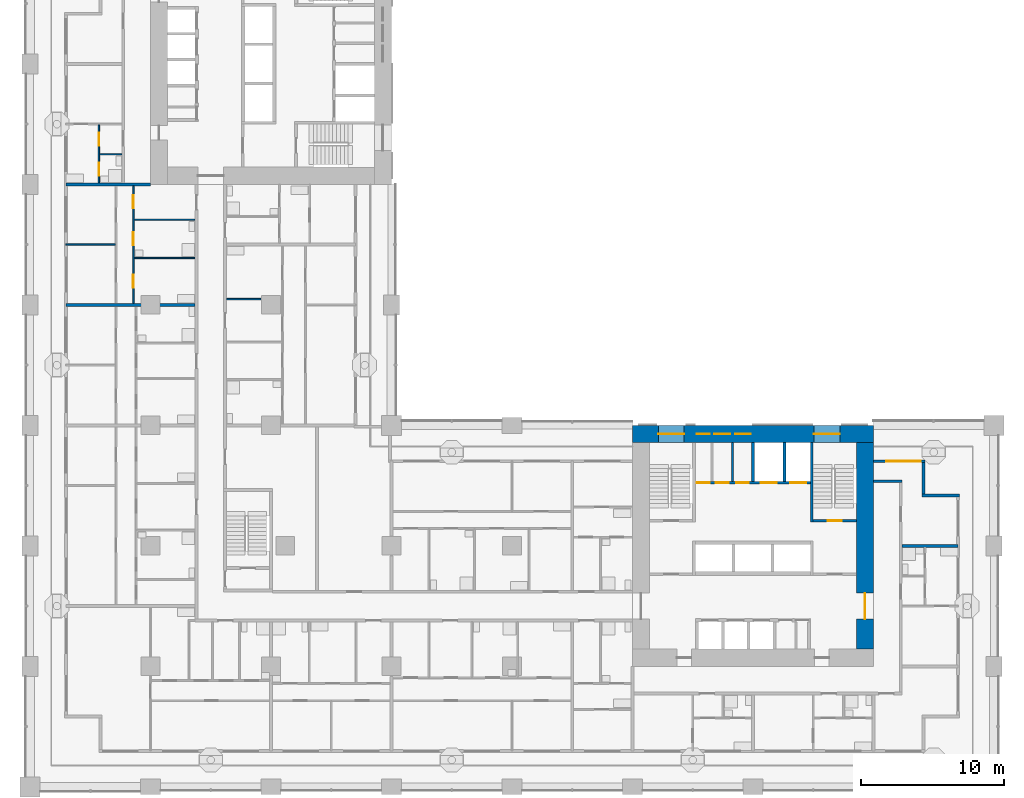
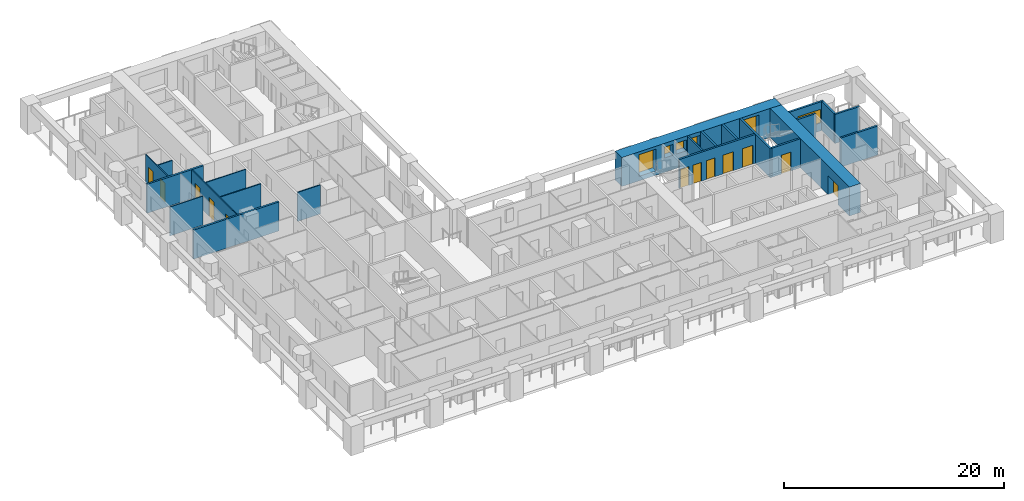
# One storey, part 8 of 22: 22 walls, 12 doors, 6 windows, 18 openings.
"""IFC4 building model written with IfcOpenShell, lengths in metres."""

from ifc_helpers import new_model, si_unit, direction, frame, frame_2d, origin, place, context, subcontext, project, spatial, rectangle, extrude, material, layer, layer_set, type_object, element, fill, save


model = new_model("IFC4")

# Units and contexts
model_context = context("Model", 3, precision=1e-05, world=origin(), true_north=direction((0.0, 1.0)))
body_context = subcontext(model_context, "Body", "Model", "MODEL_VIEW")
ifc_project = project(units=[si_unit("LENGTHUNIT", "METRE"), si_unit("AREAUNIT", "SQUARE_METRE"), si_unit("VOLUMEUNIT", "CUBIC_METRE"), si_unit("PLANEANGLEUNIT", "RADIAN"), si_unit("MASSUNIT", "GRAM", prefix="KILO")], contexts=[model_context])

# Site, building, storey
site_placement = place(None, origin())
site = spatial("IfcSite", under=ifc_project, at=site_placement, CompositionType="ELEMENT")
building_placement = place(site_placement, origin())
building = spatial("IfcBuilding", under=site, at=building_placement, Name="Vermilion Gate Residences", CompositionType="ELEMENT")
storey_placement = place(building_placement, frame((0.0, 0.0, 63.699951171875)))
storey = spatial("IfcBuildingStorey", under=building, at=storey_placement, Name="L15", CompositionType="ELEMENT", Elevation=63.699951171875)

# Walls
ifc_material_1 = material(Name="Masonry blockwork", Category="masonry")
ifc_layer_1 = layer(ifc_material_1, 0.14990234375)
ifc_layer_set_1 = layer_set([ifc_layer_1], Name="BLOCKWORK PARTITION 150 EI 120")
wall_type_1 = type_object("IfcWallType", Name="BLOCKWORK PARTITION 150 EI 120", PredefinedType="PARTITIONING", material=ifc_layer_set_1)
wall_1_placement = place(storey_placement, frame((48.965087890625, 21.300048828125, 0.0), z_axis=(0.0, 0.0, 1.0), x_axis=(0.0, 1.0, 0.0)))
element("IfcWall", 1, at=wall_1_placement, inside=storey, type_object=wall_type_1, Name="Core room partition A15-NR-P1", PredefinedType="PARTITIONING", context=body_context, shape_type="SweptSolid", body=[
    extrude(rectangle(XDim=2.699951171875, YDim=0.14990234375, at=frame_2d((1.35009765625, 0.0))), origin(), (0.0, 0.0, 1.0), 3.219970703125),
])
ifc_material_2 = material(Name="Insulated steel stud wall with terracotta rainscreen", Category="masonry")
ifc_layer_2 = layer(ifc_material_2, 0.199951171875)
ifc_layer_set_2 = layer_set([ifc_layer_2], Name="EXTERNAL WALL 200 TERRACOTTA RAINSCREEN")
wall_type_2 = type_object("IfcWallType", Name="EXTERNAL WALL 200 TERRACOTTA RAINSCREEN", PredefinedType="SOLIDWALL", material=ifc_layer_set_2)
wall_2_placement = place(storey_placement, frame((64.800048828125, 20.300048828125, 0.0), z_axis=(0.0, 0.0, 1.0), x_axis=(-1.0, 0.0, 0.0)))
element("IfcWall", 2, at=wall_2_placement, inside=storey, type_object=wall_type_2, Name="External wall", PredefinedType="SOLIDWALL", context=body_context, shape_type="SweptSolid", body=[
    extrude(rectangle(XDim=2.60009765625, YDim=0.199951171875, at=frame_2d((1.300048828125, 0.0))), origin(), (0.0, 0.0, 1.0), 3.219970703125),
])
wall_3_placement = place(storey_placement, frame((62.300048828125, 20.39990234375, 0.0), z_axis=(0.0, 0.0, 1.0), x_axis=(0.0, 1.0, 0.0)))
element("IfcWall", 3, at=wall_3_placement, inside=storey, type_object=wall_type_2, Name="External wall", PredefinedType="SOLIDWALL", context=body_context, shape_type="SweptSolid", body=[
    extrude(rectangle(XDim=2.2001953125, YDim=0.199951171875, at=frame_2d((1.10009765625, 0.0))), origin(), (0.0, 0.0, 1.0), 3.219970703125),
])

# Wall, opening, window
wall_4_placement = place(storey_placement, frame((62.39990234375, 22.699951171875, 0.0), z_axis=(0.0, 0.0, 1.0), x_axis=(-1.0, 0.0, 0.0)))
wall_4 = element("IfcWall", 4, at=wall_4_placement, inside=storey, type_object=wall_type_2, Name="External wall", PredefinedType="SOLIDWALL", context=body_context, shape_type="SweptSolid", body=[
    extrude(rectangle(XDim=3.599853515625, YDim=0.199951171875, at=frame_2d((1.7998046875, 0.0))), origin(), (0.0, 0.0, 1.0), 3.219970703125),
])
opening_1_placement = place(wall_4_placement, frame((0.300048828125, 0.0, 0.89990234375)))
opening_1 = element("IfcOpeningElement", 5, at=opening_1_placement, cuts=wall_4, Name="Opening WE15032", PredefinedType="OPENING", context=body_context, shape_type="SweptSolid", body=[
    extrude(rectangle(XDim=2.39990234375, YDim=1.5, at=frame_2d((1.199951171875, 0.75))), frame((0.0, 0.10986328125, 0.0), z_axis=(0.0, -1.0, 0.0), x_axis=(1.0, 0.0, 0.0)), (0.0, 0.0, 1.0), 0.219970703125),
])
ifc_material_3 = material(Name="Aluminium and clear glass", Category="aluminium")
window_type_1 = type_object("IfcWindowType", Name="WINDOW 2400 X 1500", PartitioningType="SINGLE_PANEL", PredefinedType="WINDOW", material=ifc_material_3)
window_1_placement = place(opening_1_placement, origin())
window_1 = element("IfcWindow", 6, at=window_1_placement, inside=storey, type_object=window_type_1, Name="Window", OverallHeight=1.5, OverallWidth=2.39990234375, PartitioningType="SINGLE_PANEL", PredefinedType="WINDOW", context=body_context, shape_type="SweptSolid", body=[
    extrude(rectangle(XDim=2.39990234375, YDim=1.5, at=frame_2d((1.199951171875, 0.75))), frame((0.0, 0.030029296875, 0.0), z_axis=(0.0, -1.0, 0.0), x_axis=(1.0, 0.0, 0.0)), (0.0, 0.0, 1.0), 0.06005859375),
])
fill(opening_1, window_1)

# Walls
ifc_material_4 = material(Name="Plasterboard on steel studs", Category="steel")
ifc_layer_3 = layer(ifc_material_4, 0.10009765625)
ifc_layer_set_3 = layer_set([ifc_layer_3], Name="PARTITION 100")
wall_type_3 = type_object("IfcWallType", Name="PARTITION 100", PredefinedType="PARTITIONING", material=ifc_layer_set_3)
wall_5_placement = place(storey_placement, frame((13.699951171875, 34.0, 0.0), z_axis=(0.0, 0.0, 1.0), x_axis=(1.0, 0.0, 0.0)))
element("IfcWall", 7, at=wall_5_placement, inside=storey, type_object=wall_type_3, Name="Partition", PredefinedType="PARTITIONING", context=body_context, shape_type="SweptSolid", body=[
    extrude(rectangle(XDim=2.400146484375, YDim=0.10009765625, at=frame_2d((1.2001953125, 0.0))), origin(), (0.0, 0.0, 1.0), 3.219970703125),
])
wall_6_placement = place(storey_placement, frame((7.25, 36.866943359375, 0.0), z_axis=(0.0, 0.0, 1.0), x_axis=(1.0, 0.0, 0.0)))
element("IfcWall", 8, at=wall_6_placement, inside=storey, type_object=wall_type_3, Name="Partition", PredefinedType="PARTITIONING", context=body_context, shape_type="SweptSolid", body=[
    extrude(rectangle(XDim=4.25, YDim=0.10009765625, at=frame_2d((2.125, 0.0))), origin(), (0.0, 0.0, 1.0), 3.219970703125),
])
wall_7_placement = place(storey_placement, frame((2.5, 37.800048828125, 0.0), z_axis=(0.0, 0.0, 1.0), x_axis=(1.0, 0.0, 0.0)))
element("IfcWall", 9, at=wall_7_placement, inside=storey, type_object=wall_type_3, Name="Partition", PredefinedType="PARTITIONING", context=body_context, shape_type="SweptSolid", body=[
    extrude(rectangle(XDim=3.449951171875, YDim=0.10009765625, at=frame_2d((1.72509765625, 0.0))), origin(), (0.0, 0.0, 1.0), 3.219970703125),
])
wall_8_placement = place(storey_placement, frame((7.25, 39.532958984375, 0.0), z_axis=(0.0, 0.0, 1.0), x_axis=(1.0, 0.0, 0.0)))
element("IfcWall", 10, at=wall_8_placement, inside=storey, type_object=wall_type_3, Name="Partition", PredefinedType="PARTITIONING", context=body_context, shape_type="SweptSolid", body=[
    extrude(rectangle(XDim=4.25, YDim=0.10009765625, at=frame_2d((2.125, 0.0))), origin(), (0.0, 0.0, 1.0), 3.219970703125),
])
wall_9_placement = place(storey_placement, frame((4.85009765625, 44.10009765625, 0.0), z_axis=(0.0, 0.0, 1.0), x_axis=(1.0, 0.0, 0.0)))
element("IfcWall", 11, at=wall_9_placement, inside=storey, type_object=wall_type_3, Name="Partition", PredefinedType="PARTITIONING", context=body_context, shape_type="SweptSolid", body=[
    extrude(rectangle(XDim=1.5498046875, YDim=0.10009765625, at=frame_2d((0.77490234375, 0.0))), origin(), (0.0, 0.0, 1.0), 3.219970703125),
])

# Wall, openings, doors
wall_10_placement = place(storey_placement, frame((4.800048828125, 42.10009765625, 0.0), z_axis=(0.0, 0.0, 1.0), x_axis=(0.0, 1.0, 0.0)))
wall_10 = element("IfcWall", 12, at=wall_10_placement, inside=storey, type_object=wall_type_3, Name="Partition", PredefinedType="PARTITIONING", context=body_context, shape_type="SweptSolid", body=[
    extrude(rectangle(XDim=4.0498046875, YDim=0.10009765625, at=frame_2d((2.02490234375, 0.0))), origin(), (0.0, 0.0, 1.0), 3.219970703125),
])
opening_2_placement = place(wall_10_placement, frame((2.60009765625, 0.0, 0.0)))
opening_2 = element("IfcOpeningElement", 13, at=opening_2_placement, cuts=wall_10, Name="Opening DA13045", PredefinedType="OPENING", context=body_context, shape_type="SweptSolid", body=[
    extrude(rectangle(XDim=0.89990234375, YDim=2.10009765625, at=frame_2d((0.449951171875, 1.050048828125))), frame((0.0, 0.06005859375, 0.0), z_axis=(0.0, -1.0, 0.0), x_axis=(1.0, 0.0, 0.0)), (0.0, 0.0, 1.0), 0.1201171875),
])
opening_3_placement = place(wall_10_placement, frame((0.5, 0.0, 0.0)))
opening_3 = element("IfcOpeningElement", 14, at=opening_3_placement, cuts=wall_10, Name="Opening DA13046", PredefinedType="OPENING", context=body_context, shape_type="SweptSolid", body=[
    extrude(rectangle(XDim=0.89990234375, YDim=2.10009765625, at=frame_2d((0.449951171875, 1.050048828125))), frame((0.0, 0.06005859375, 0.0), z_axis=(0.0, -1.0, 0.0), x_axis=(1.0, 0.0, 0.0)), (0.0, 0.0, 1.0), 0.1201171875),
])
ifc_material_5 = material(Name="Timber", Category="wood")
door_type_1 = type_object("IfcDoorType", Name="INTERIOR DOOR 900 X 2100", OperationType="SINGLE_SWING_LEFT", PredefinedType="DOOR", material=ifc_material_5)
door_1_placement = place(opening_2_placement, origin())
door_1 = element("IfcDoor", 15, at=door_1_placement, inside=storey, type_object=door_type_1, Name="Interior door", OperationType="SINGLE_SWING_RIGHT", OverallHeight=2.10009765625, OverallWidth=0.89990234375, PredefinedType="DOOR", context=body_context, shape_type="SweptSolid", body=[
    extrude(rectangle(XDim=0.89990234375, YDim=2.10009765625, at=frame_2d((0.449951171875, 1.050048828125))), frame((0.0, 0.02490234375, 0.0), z_axis=(0.0, -1.0, 0.0), x_axis=(1.0, 0.0, 0.0)), (0.0, 0.0, 1.0), 0.050048828125),
])
fill(opening_2, door_1)
door_2_placement = place(opening_3_placement, frame((0.89990234375, 0.0, 0.0), z_axis=(0.0, 0.0, 1.0), x_axis=(-1.0, 0.0, 0.0)))
door_2 = element("IfcDoor", 16, at=door_2_placement, inside=storey, type_object=door_type_1, Name="Interior door", OperationType="SINGLE_SWING_RIGHT", OverallHeight=2.10009765625, OverallWidth=0.89990234375, PredefinedType="DOOR", context=body_context, shape_type="SweptSolid", body=[
    extrude(rectangle(XDim=0.89990234375, YDim=2.10009765625, at=frame_2d((0.449951171875, 1.050048828125))), frame((0.0, 0.02490234375, 0.0), z_axis=(0.0, -1.0, 0.0), x_axis=(1.0, 0.0, 0.0)), (0.0, 0.0, 1.0), 0.050048828125),
])
fill(opening_3, door_2)

wall_11_placement = place(storey_placement, frame((7.199951171875, 33.699951171875, 0.0), z_axis=(0.0, 0.0, 1.0), x_axis=(0.0, 1.0, 0.0)))
wall_11 = element("IfcWall", 17, at=wall_11_placement, inside=storey, type_object=wall_type_3, Name="Partition", PredefinedType="PARTITIONING", context=body_context, shape_type="SweptSolid", body=[
    extrude(rectangle(XDim=8.199951171875, YDim=0.10009765625, at=frame_2d((4.10009765625, 0.0))), origin(), (0.0, 0.0, 1.0), 3.219970703125),
])
opening_4_placement = place(wall_11_placement, frame((6.633056640625, 0.0, 0.0)))
opening_4 = element("IfcOpeningElement", 18, at=opening_4_placement, cuts=wall_11, Name="Opening DA13055", PredefinedType="OPENING", context=body_context, shape_type="SweptSolid", body=[
    extrude(rectangle(XDim=0.89990234375, YDim=2.10009765625, at=frame_2d((0.449951171875, 1.050048828125))), frame((0.0, 0.06005859375, 0.0), z_axis=(0.0, -1.0, 0.0), x_axis=(1.0, 0.0, 0.0)), (0.0, 0.0, 1.0), 0.1201171875),
])
opening_5_placement = place(wall_11_placement, frame((1.10009765625, 0.0, 0.0)))
opening_5 = element("IfcOpeningElement", 19, at=opening_5_placement, cuts=wall_11, Name="Opening DA13056", PredefinedType="OPENING", context=body_context, shape_type="SweptSolid", body=[
    extrude(rectangle(XDim=0.89990234375, YDim=2.10009765625, at=frame_2d((0.449951171875, 1.050048828125))), frame((0.0, 0.06005859375, 0.0), z_axis=(0.0, -1.0, 0.0), x_axis=(1.0, 0.0, 0.0)), (0.0, 0.0, 1.0), 0.1201171875),
])
opening_6_placement = place(wall_11_placement, frame((4.06689453125, 0.0, 0.0)))
opening_6 = element("IfcOpeningElement", 20, at=opening_6_placement, cuts=wall_11, Name="Opening DA13057", PredefinedType="OPENING", context=body_context, shape_type="SweptSolid", body=[
    extrude(rectangle(XDim=0.89990234375, YDim=2.10009765625, at=frame_2d((0.449951171875, 1.050048828125))), frame((0.0, 0.06005859375, 0.0), z_axis=(0.0, -1.0, 0.0), x_axis=(1.0, 0.0, 0.0)), (0.0, 0.0, 1.0), 0.1201171875),
])
door_3_placement = place(opening_4_placement, origin())
door_3 = element("IfcDoor", 21, at=door_3_placement, inside=storey, type_object=door_type_1, Name="Interior door", OperationType="SINGLE_SWING_RIGHT", OverallHeight=2.10009765625, OverallWidth=0.89990234375, PredefinedType="DOOR", context=body_context, shape_type="SweptSolid", body=[
    extrude(rectangle(XDim=0.89990234375, YDim=2.10009765625, at=frame_2d((0.449951171875, 1.050048828125))), frame((0.0, 0.02490234375, 0.0), z_axis=(0.0, -1.0, 0.0), x_axis=(1.0, 0.0, 0.0)), (0.0, 0.0, 1.0), 0.050048828125),
])
fill(opening_4, door_3)
door_4_placement = place(opening_5_placement, frame((0.89990234375, 0.0, 0.0), z_axis=(0.0, 0.0, 1.0), x_axis=(-1.0, 0.0, 0.0)))
door_4 = element("IfcDoor", 22, at=door_4_placement, inside=storey, type_object=door_type_1, Name="Interior door", OperationType="SINGLE_SWING_RIGHT", OverallHeight=2.10009765625, OverallWidth=0.89990234375, PredefinedType="DOOR", context=body_context, shape_type="SweptSolid", body=[
    extrude(rectangle(XDim=0.89990234375, YDim=2.10009765625, at=frame_2d((0.449951171875, 1.050048828125))), frame((0.0, 0.02490234375, 0.0), z_axis=(0.0, -1.0, 0.0), x_axis=(1.0, 0.0, 0.0)), (0.0, 0.0, 1.0), 0.050048828125),
])
fill(opening_5, door_4)
door_5_placement = place(opening_6_placement, frame((0.89990234375, 0.0, 0.0), z_axis=(0.0, 0.0, 1.0), x_axis=(-1.0, 0.0, 0.0)))
door_5 = element("IfcDoor", 23, at=door_5_placement, inside=storey, type_object=door_type_1, Name="Interior door", OperationType="SINGLE_SWING_RIGHT", OverallHeight=2.10009765625, OverallWidth=0.89990234375, PredefinedType="DOOR", context=body_context, shape_type="SweptSolid", body=[
    extrude(rectangle(XDim=0.89990234375, YDim=2.10009765625, at=frame_2d((0.449951171875, 1.050048828125))), frame((0.0, 0.02490234375, 0.0), z_axis=(0.0, -1.0, 0.0), x_axis=(1.0, 0.0, 0.0)), (0.0, 0.0, 1.0), 0.050048828125),
])
fill(opening_6, door_5)

# Walls
ifc_material_6 = material(Name="Fire-rated plasterboard on steel studs", Category="steel")
ifc_layer_4 = layer(ifc_material_6, 0.199951171875)
ifc_layer_set_4 = layer_set([ifc_layer_4], Name="PARTY WALL 200 EI 120")
wall_type_4 = type_object("IfcWallType", Name="PARTY WALL 200 EI 120", PredefinedType="PARTITIONING", material=ifc_layer_set_4)
wall_12_placement = place(storey_placement, frame((60.800048828125, 16.800048828125, 0.0), z_axis=(0.0, 0.0, 1.0), x_axis=(1.0, 0.0, 0.0)))
element("IfcWall", 24, at=wall_12_placement, inside=storey, type_object=wall_type_4, Name="Party and corridor wall", PredefinedType="PARTITIONING", context=body_context, shape_type="SweptSolid", body=[
    extrude(rectangle(XDim=3.89990234375, YDim=0.199951171875, at=frame_2d((1.949951171875, 0.0))), origin(), (0.0, 0.0, 1.0), 3.219970703125),
])
wall_13_placement = place(storey_placement, frame((58.800048828125, 21.300048828125, 0.0), z_axis=(0.0, 0.0, 1.0), x_axis=(1.0, 0.0, 0.0)))
element("IfcWall", 25, at=wall_13_placement, inside=storey, type_object=wall_type_4, Name="Party and corridor wall", PredefinedType="PARTITIONING", context=body_context, shape_type="SweptSolid", body=[
    extrude(rectangle(XDim=2.0, YDim=0.199951171875, at=frame_2d((1.0, 0.0))), origin(), (0.0, 0.0, 1.0), 3.219970703125),
])
wall_14_placement = place(storey_placement, frame((2.5, 33.60009765625, 0.0), z_axis=(0.0, 0.0, 1.0), x_axis=(1.0, 0.0, 0.0)))
element("IfcWall", 26, at=wall_14_placement, inside=storey, type_object=wall_type_4, Name="Party and corridor wall", PredefinedType="PARTITIONING", context=body_context, shape_type="SweptSolid", body=[
    extrude(rectangle(XDim=9.0, YDim=0.199951171875, at=frame_2d((4.5, 0.0))), origin(), (0.0, 0.0, 1.0), 3.219970703125),
])
wall_15_placement = place(storey_placement, frame((2.5, 42.0, 0.0), z_axis=(0.0, 0.0, 1.0), x_axis=(1.0, 0.0, 0.0)))
element("IfcWall", 27, at=wall_15_placement, inside=storey, type_object=wall_type_4, Name="Party and corridor wall", PredefinedType="PARTITIONING", context=body_context, shape_type="SweptSolid", body=[
    extrude(rectangle(XDim=5.89990234375, YDim=0.199951171875, at=frame_2d((2.949951171875, 0.0))), origin(), (0.0, 0.0, 1.0), 3.219970703125),
])
ifc_material_7 = material(Name="Concrete C60", Category="concrete")
ifc_layer_5 = layer(ifc_material_7, 0.199951171875)
ifc_layer_set_5 = layer_set([ifc_layer_5], Name="RC CORE INTERNAL WALL 200 C60")
wall_type_5 = type_object("IfcWallType", Name="RC CORE INTERNAL WALL 200 C60", PredefinedType="SHEAR", material=ifc_layer_set_5)
for number, where, z_axis, x_axis, name in (
    (28, (50.39990234375, 21.300048828125, 0.0), (0.0, 0.0, 1.0), (0.0, 1.0, 0.0), "Core internal wall A15-FF-D0"),
    (29, (52.60009765625, 21.300048828125, 0.0), (0.0, 0.0, 1.0), (0.0, 1.0, 0.0), "Core internal wall A15-FF-D1"),
):
    element("IfcWall", number, at=place(storey_placement, frame(where, z_axis=z_axis, x_axis=x_axis)), inside=storey, type_object=wall_type_5, Name=name, PredefinedType="SHEAR", context=body_context, shape_type="SweptSolid", body=[
        extrude(rectangle(XDim=2.699951171875, YDim=0.199951171875, at=frame_2d((1.35009765625, 0.0))), origin(), (0.0, 0.0, 1.0), 3.219970703125),
    ])

# Wall, openings, doors
wall_16_placement = place(storey_placement, frame((46.39990234375, 21.199951171875, 0.0), z_axis=(0.0, 0.0, 1.0), x_axis=(1.0, 0.0, 0.0)))
wall_16 = element("IfcWall", 30, at=wall_16_placement, inside=storey, type_object=wall_type_5, Name="Core internal wall A15-FF-F", PredefinedType="SHEAR", context=body_context, shape_type="SweptSolid", body=[
    extrude(rectangle(XDim=8.0, YDim=0.199951171875, at=frame_2d((4.0, 0.0))), origin(), (0.0, 0.0, 1.0), 3.219970703125),
])
opening_7_placement = place(wall_16_placement, frame((0.090087890625, 0.0, 0.0)))
opening_7 = element("IfcOpeningElement", 31, at=opening_7_placement, cuts=wall_16, Name="Opening DK15010", PredefinedType="OPENING", context=body_context, shape_type="SweptSolid", body=[
    extrude(rectangle(XDim=0.89990234375, YDim=2.10009765625, at=frame_2d((0.449951171875, 1.050048828125))), frame((0.0, 0.10986328125, 0.0), z_axis=(0.0, -1.0, 0.0), x_axis=(1.0, 0.0, 0.0)), (0.0, 0.0, 1.0), 0.219970703125),
])
opening_8_placement = place(wall_16_placement, frame((1.409912109375, 0.0, 0.0)))
opening_8 = element("IfcOpeningElement", 32, at=opening_8_placement, cuts=wall_16, Name="Opening DK15011", PredefinedType="OPENING", context=body_context, shape_type="SweptSolid", body=[
    extrude(rectangle(XDim=0.89990234375, YDim=2.10009765625, at=frame_2d((0.449951171875, 1.050048828125))), frame((0.0, 0.10986328125, 0.0), z_axis=(0.0, -1.0, 0.0), x_axis=(1.0, 0.0, 0.0)), (0.0, 0.0, 1.0), 0.219970703125),
])
opening_9_placement = place(wall_16_placement, frame((2.820068359375, 0.0, 0.0)))
opening_9 = element("IfcOpeningElement", 33, at=opening_9_placement, cuts=wall_16, Name="Opening DK15012", PredefinedType="OPENING", context=body_context, shape_type="SweptSolid", body=[
    extrude(rectangle(XDim=0.89990234375, YDim=2.10009765625, at=frame_2d((0.449951171875, 1.050048828125))), frame((0.0, 0.10986328125, 0.0), z_axis=(0.0, -1.0, 0.0), x_axis=(1.0, 0.0, 0.0)), (0.0, 0.0, 1.0), 0.219970703125),
])
opening_10_placement = place(wall_16_placement, frame((4.550048828125, 0.0, 0.0)))
opening_10 = element("IfcOpeningElement", 34, at=opening_10_placement, cuts=wall_16, Name="Opening LD", PredefinedType="OPENING", context=body_context, shape_type="SweptSolid", body=[
    extrude(rectangle(XDim=1.10009765625, YDim=2.10009765625, at=frame_2d((0.550048828125, 1.050048828125))), frame((0.0, 0.10986328125, 0.0), z_axis=(0.0, -1.0, 0.0), x_axis=(1.0, 0.0, 0.0)), (0.0, 0.0, 1.0), 0.219970703125),
])
opening_11_placement = place(wall_16_placement, frame((6.60009765625, 0.0, 0.0)))
opening_11 = element("IfcOpeningElement", 35, at=opening_11_placement, cuts=wall_16, Name="Opening LD", PredefinedType="OPENING", context=body_context, shape_type="SweptSolid", body=[
    extrude(rectangle(XDim=1.10009765625, YDim=2.10009765625, at=frame_2d((0.550048828125, 1.050048828125))), frame((0.0, 0.10986328125, 0.0), z_axis=(0.0, -1.0, 0.0), x_axis=(1.0, 0.0, 0.0)), (0.0, 0.0, 1.0), 0.219970703125),
])
ifc_material_8 = material(Name="Stainless steel", Category="steel")
door_type_2 = type_object("IfcDoorType", Name="LIFT LANDING DOOR E60 1100 X 2100", OperationType="DOUBLE_DOOR_SLIDING", PredefinedType="DOOR", material=ifc_material_8)
door_6_placement = place(opening_10_placement, origin())
door_6 = element("IfcDoor", 36, at=door_6_placement, inside=storey, type_object=door_type_2, Name="Lift landing door LFA1", OperationType="DOUBLE_DOOR_SLIDING", OverallHeight=2.10009765625, OverallWidth=1.10009765625, PredefinedType="DOOR", context=body_context, shape_type="SweptSolid", body=[
    extrude(rectangle(XDim=1.10009765625, YDim=2.10009765625, at=frame_2d((0.550048828125, 1.050048828125))), frame((0.0, 0.02490234375, 0.0), z_axis=(0.0, -1.0, 0.0), x_axis=(1.0, 0.0, 0.0)), (0.0, 0.0, 1.0), 0.050048828125),
])
fill(opening_10, door_6)
door_7_placement = place(opening_11_placement, origin())
door_7 = element("IfcDoor", 37, at=door_7_placement, inside=storey, type_object=door_type_2, Name="Lift landing door LCA1", OperationType="DOUBLE_DOOR_SLIDING", OverallHeight=2.10009765625, OverallWidth=1.10009765625, PredefinedType="DOOR", context=body_context, shape_type="SweptSolid", body=[
    extrude(rectangle(XDim=1.10009765625, YDim=2.10009765625, at=frame_2d((0.550048828125, 1.050048828125))), frame((0.0, 0.02490234375, 0.0), z_axis=(0.0, -1.0, 0.0), x_axis=(1.0, 0.0, 0.0)), (0.0, 0.0, 1.0), 0.050048828125),
])
fill(opening_11, door_7)
ifc_material_9 = material(Name="Steel", Category="steel")
door_type_3 = type_object("IfcDoorType", Name="SERVICE ROOM DOOR FD60 900 X 2100", OperationType="SINGLE_SWING_LEFT", PredefinedType="DOOR", material=ifc_material_9)
door_8_placement = place(opening_7_placement, origin())
door_8 = element("IfcDoor", 38, at=door_8_placement, inside=storey, type_object=door_type_3, Name="Housekeeping store A15", OperationType="SINGLE_SWING_RIGHT", OverallHeight=2.10009765625, OverallWidth=0.89990234375, PredefinedType="DOOR", context=body_context, shape_type="SweptSolid", body=[
    extrude(rectangle(XDim=0.89990234375, YDim=2.10009765625, at=frame_2d((0.449951171875, 1.050048828125))), frame((0.0, 0.02490234375, 0.0), z_axis=(0.0, -1.0, 0.0), x_axis=(1.0, 0.0, 0.0)), (0.0, 0.0, 1.0), 0.050048828125),
])
fill(opening_7, door_8)
door_9_placement = place(opening_8_placement, origin())
door_9 = element("IfcDoor", 39, at=door_9_placement, inside=storey, type_object=door_type_3, Name="Mail room A15", OperationType="SINGLE_SWING_LEFT", OverallHeight=2.10009765625, OverallWidth=0.89990234375, PredefinedType="DOOR", context=body_context, shape_type="SweptSolid", body=[
    extrude(rectangle(XDim=0.89990234375, YDim=2.10009765625, at=frame_2d((0.449951171875, 1.050048828125))), frame((0.0, 0.02490234375, 0.0), z_axis=(0.0, -1.0, 0.0), x_axis=(1.0, 0.0, 0.0)), (0.0, 0.0, 1.0), 0.050048828125),
])
fill(opening_8, door_9)
door_10_placement = place(opening_9_placement, origin())
door_10 = element("IfcDoor", 40, at=door_10_placement, inside=storey, type_object=door_type_3, Name="Electrical riser A15", OperationType="SINGLE_SWING_LEFT", OverallHeight=2.10009765625, OverallWidth=0.89990234375, PredefinedType="DOOR", context=body_context, shape_type="SweptSolid", body=[
    extrude(rectangle(XDim=0.89990234375, YDim=2.10009765625, at=frame_2d((0.449951171875, 1.050048828125))), frame((0.0, 0.02490234375, 0.0), z_axis=(0.0, -1.0, 0.0), x_axis=(1.0, 0.0, 0.0)), (0.0, 0.0, 1.0), 0.050048828125),
])
fill(opening_9, door_10)

# Wall
wall_17_placement = place(storey_placement, frame((54.5, 18.449951171875, 0.0), z_axis=(0.0, 0.0, 1.0), x_axis=(0.0, 1.0, 0.0)))
element("IfcWall", 41, at=wall_17_placement, inside=storey, type_object=wall_type_5, Name="Core internal wall A15-EDIV2", PredefinedType="SHEAR", context=body_context, shape_type="SweptSolid", body=[
    extrude(rectangle(XDim=5.550048828125, YDim=0.199951171875, at=frame_2d((2.77490234375, 0.0))), origin(), (0.0, 0.0, 1.0), 3.219970703125),
])

# Wall, opening, door
wall_18_placement = place(storey_placement, frame((54.60009765625, 18.550048828125, 0.0), z_axis=(0.0, 0.0, 1.0), x_axis=(1.0, 0.0, 0.0)))
wall_18 = element("IfcWall", 42, at=wall_18_placement, inside=storey, type_object=wall_type_5, Name="Core internal wall A15-STE-S", PredefinedType="SHEAR", context=body_context, shape_type="SweptSolid", body=[
    extrude(rectangle(XDim=3.0, YDim=0.199951171875, at=frame_2d((1.5, 0.0))), origin(), (0.0, 0.0, 1.0), 3.219970703125),
])
opening_12_placement = place(wall_18_placement, frame((1.0, 0.0, 0.0)))
opening_12 = element("IfcOpeningElement", 43, at=opening_12_placement, cuts=wall_18, Name="Opening DK15018", PredefinedType="OPENING", context=body_context, shape_type="SweptSolid", body=[
    extrude(rectangle(XDim=1.0, YDim=2.10009765625, at=frame_2d((0.5, 1.050048828125))), frame((0.0, 0.10986328125, 0.0), z_axis=(0.0, -1.0, 0.0), x_axis=(1.0, 0.0, 0.0)), (0.0, 0.0, 1.0), 0.219970703125),
])
ifc_material_10 = material(Name="Steel", Category="steel")
door_type_4 = type_object("IfcDoorType", Name="FIRE DOOR FD60 1000 X 2100", OperationType="SINGLE_SWING_LEFT", PredefinedType="DOOR", material=ifc_material_10)
door_11_placement = place(opening_12_placement, origin())
door_11 = element("IfcDoor", 44, at=door_11_placement, inside=storey, type_object=door_type_4, Name="Stair door A15", OperationType="SINGLE_SWING_LEFT", OverallHeight=2.10009765625, OverallWidth=1.0, PredefinedType="DOOR", context=body_context, shape_type="SweptSolid", body=[
    extrude(rectangle(XDim=1.0, YDim=2.10009765625, at=frame_2d((0.5, 1.050048828125))), frame((0.0, 0.02490234375, 0.0), z_axis=(0.0, -1.0, 0.0), x_axis=(1.0, 0.0, 0.0)), (0.0, 0.0, 1.0), 0.050048828125),
])
fill(opening_12, door_11)

ifc_material_11 = material(Name="Concrete C80", Category="concrete")
ifc_layer_6 = layer(ifc_material_11, 1.199951171875)
ifc_layer_set_6 = layer_set([ifc_layer_6], Name="RC CORE WALL 1200 C80")
wall_type_6 = type_object("IfcWallType", Name="RC CORE WALL 1200 C80", PredefinedType="SHEAR", material=ifc_layer_set_6)
wall_19_placement = place(storey_placement, frame((58.199951171875, 9.60009765625, 0.0), z_axis=(0.0, 0.0, 1.0), x_axis=(0.0, 1.0, 0.0)))
wall_19 = element("IfcWall", 45, at=wall_19_placement, inside=storey, type_object=wall_type_6, Name="Core wall A15-OUT-BK", PredefinedType="SHEAR", context=body_context, shape_type="SweptSolid", body=[
    extrude(rectangle(XDim=14.39990234375, YDim=1.199951171875, at=frame_2d((7.199951171875, 0.0))), origin(), (0.0, 0.0, 1.0), 3.219970703125),
])
opening_13_placement = place(wall_19_placement, frame((2.10009765625, 0.0, 0.0)))
opening_13 = element("IfcOpeningElement", 46, at=opening_13_placement, cuts=wall_19, Name="Opening DK15004", PredefinedType="OPENING", context=body_context, shape_type="SweptSolid", body=[
    extrude(rectangle(XDim=1.800048828125, YDim=2.10009765625, at=frame_2d((0.89990234375, 1.050048828125))), frame((0.0, 0.60986328125, 0.0), z_axis=(0.0, -1.0, 0.0), x_axis=(1.0, 0.0, 0.0)), (0.0, 0.0, 1.0), 1.219970703125),
])
ifc_material_12 = material(Name="Steel", Category="steel")
door_type_5 = type_object("IfcDoorType", Name="CORE LOBBY DOOR FD60 1800 X 2100", OperationType="DOUBLE_DOOR_SINGLE_SWING", PredefinedType="DOOR", material=ifc_material_12)
door_12_placement = place(opening_13_placement, origin())
door_12 = element("IfcDoor", 47, at=door_12_placement, inside=storey, type_object=door_type_5, Name="Core lobby door A15", OperationType="DOUBLE_DOOR_SINGLE_SWING", OverallHeight=2.10009765625, OverallWidth=1.800048828125, PredefinedType="DOOR", context=body_context, shape_type="SweptSolid", body=[
    extrude(rectangle(XDim=1.800048828125, YDim=2.10009765625, at=frame_2d((0.89990234375, 1.050048828125))), frame((0.0, 0.02490234375, 0.0), z_axis=(0.0, -1.0, 0.0), x_axis=(1.0, 0.0, 0.0)), (0.0, 0.0, 1.0), 0.050048828125),
])
fill(opening_13, door_12)

# Wall, openings, windows
ifc_material_13 = material(Name="Concrete C80 red-oxide pigmented", Category="concrete")
ifc_layer_7 = layer(ifc_material_13, 1.199951171875)
ifc_layer_set_7 = layer_set([ifc_layer_7], Name="RC CORE WALL 1200 C80 RED OXIDE")
wall_type_7 = type_object("IfcWallType", Name="RC CORE WALL 1200 C80 RED OXIDE", PredefinedType="SHEAR", material=ifc_layer_set_7)
wall_20_placement = place(storey_placement, frame((42.0, 24.60009765625, 0.0), z_axis=(0.0, 0.0, 1.0), x_axis=(1.0, 0.0, 0.0)))
wall_20 = element("IfcWall", 48, at=wall_20_placement, inside=storey, type_object=wall_type_7, Name="Core wall A15-OUT-B1", PredefinedType="SHEAR", context=body_context, shape_type="SweptSolid", body=[
    extrude(rectangle(XDim=16.800048828125, YDim=1.199951171875, at=frame_2d((8.39990234375, 0.0))), origin(), (0.0, 0.0, 1.0), 3.219970703125),
])
opening_14_placement = place(wall_20_placement, frame((1.800048828125, 0.0, 0.5)))
opening_14 = element("IfcOpeningElement", 49, at=opening_14_placement, cuts=wall_20, Name="Opening WKA1501", PredefinedType="OPENING", context=body_context, shape_type="SweptSolid", body=[
    extrude(rectangle(XDim=1.800048828125, YDim=2.39990234375, at=frame_2d((0.89990234375, 1.199951171875))), frame((0.0, 0.60986328125, 0.0), z_axis=(0.0, -1.0, 0.0), x_axis=(1.0, 0.0, 0.0)), (0.0, 0.0, 1.0), 1.219970703125),
])
opening_15_placement = place(wall_20_placement, frame((4.489990234375, 0.0, 1.60009765625)))
opening_15 = element("IfcOpeningElement", 50, at=opening_15_placement, cuts=wall_20, Name="Opening WKA1502", PredefinedType="OPENING", context=body_context, shape_type="SweptSolid", body=[
    extrude(rectangle(XDim=0.89990234375, YDim=1.199951171875, at=frame_2d((0.449951171875, 0.60009765625))), frame((0.0, 0.60986328125, 0.0), z_axis=(0.0, -1.0, 0.0), x_axis=(1.0, 0.0, 0.0)), (0.0, 0.0, 1.0), 1.219970703125),
])
opening_16_placement = place(wall_20_placement, frame((5.7099609375, 0.0, 1.60009765625)))
opening_16 = element("IfcOpeningElement", 51, at=opening_16_placement, cuts=wall_20, Name="Opening WKA1503", PredefinedType="OPENING", context=body_context, shape_type="SweptSolid", body=[
    extrude(rectangle(XDim=1.10009765625, YDim=1.199951171875, at=frame_2d((0.550048828125, 0.60009765625))), frame((0.0, 0.60986328125, 0.0), z_axis=(0.0, -1.0, 0.0), x_axis=(1.0, 0.0, 0.0)), (0.0, 0.0, 1.0), 1.219970703125),
])
opening_17_placement = place(wall_20_placement, frame((7.14990234375, 0.0, 1.60009765625)))
opening_17 = element("IfcOpeningElement", 52, at=opening_17_placement, cuts=wall_20, Name="Opening WKA1504", PredefinedType="OPENING", context=body_context, shape_type="SweptSolid", body=[
    extrude(rectangle(XDim=1.10009765625, YDim=1.199951171875, at=frame_2d((0.550048828125, 0.60009765625))), frame((0.0, 0.60986328125, 0.0), z_axis=(0.0, -1.0, 0.0), x_axis=(1.0, 0.0, 0.0)), (0.0, 0.0, 1.0), 1.219970703125),
])
opening_18_placement = place(wall_20_placement, frame((12.64990234375, 0.0, 0.5)))
opening_18 = element("IfcOpeningElement", 53, at=opening_18_placement, cuts=wall_20, Name="Opening WKA1505", PredefinedType="OPENING", context=body_context, shape_type="SweptSolid", body=[
    extrude(rectangle(XDim=1.800048828125, YDim=2.39990234375, at=frame_2d((0.89990234375, 1.199951171875))), frame((0.0, 0.60986328125, 0.0), z_axis=(0.0, -1.0, 0.0), x_axis=(1.0, 0.0, 0.0)), (0.0, 0.0, 1.0), 1.219970703125),
])
ifc_material_14 = material(Name="Aluminium frame with louvre blades", Category="aluminium")
window_type_2 = type_object("IfcWindowType", Name="CORE LOUVRE 1100 X 1200", PartitioningType="SINGLE_PANEL", PredefinedType="WINDOW", material=ifc_material_14)
window_2_placement = place(opening_16_placement, origin())
window_2 = element("IfcWindow", 54, at=window_2_placement, inside=storey, type_object=window_type_2, Name="Core louvre", OverallHeight=1.199951171875, OverallWidth=1.10009765625, PartitioningType="SINGLE_PANEL", PredefinedType="WINDOW", context=body_context, shape_type="SweptSolid", body=[
    extrude(rectangle(XDim=1.10009765625, YDim=1.199951171875, at=frame_2d((0.550048828125, 0.60009765625))), frame((0.0, 0.030029296875, 0.0), z_axis=(0.0, -1.0, 0.0), x_axis=(1.0, 0.0, 0.0)), (0.0, 0.0, 1.0), 0.06005859375),
])
fill(opening_16, window_2)
window_3_placement = place(opening_17_placement, origin())
window_3 = element("IfcWindow", 55, at=window_3_placement, inside=storey, type_object=window_type_2, Name="Core louvre", OverallHeight=1.199951171875, OverallWidth=1.10009765625, PartitioningType="SINGLE_PANEL", PredefinedType="WINDOW", context=body_context, shape_type="SweptSolid", body=[
    extrude(rectangle(XDim=1.10009765625, YDim=1.199951171875, at=frame_2d((0.550048828125, 0.60009765625))), frame((0.0, 0.030029296875, 0.0), z_axis=(0.0, -1.0, 0.0), x_axis=(1.0, 0.0, 0.0)), (0.0, 0.0, 1.0), 0.06005859375),
])
fill(opening_17, window_3)
ifc_material_15 = material(Name="Aluminium frame with louvre blades", Category="aluminium")
window_type_3 = type_object("IfcWindowType", Name="CORE LOUVRE 900 X 1200", PartitioningType="SINGLE_PANEL", PredefinedType="WINDOW", material=ifc_material_15)
window_4_placement = place(opening_15_placement, origin())
window_4 = element("IfcWindow", 56, at=window_4_placement, inside=storey, type_object=window_type_3, Name="Core louvre", OverallHeight=1.199951171875, OverallWidth=0.89990234375, PartitioningType="SINGLE_PANEL", PredefinedType="WINDOW", context=body_context, shape_type="SweptSolid", body=[
    extrude(rectangle(XDim=0.89990234375, YDim=1.199951171875, at=frame_2d((0.449951171875, 0.60009765625))), frame((0.0, 0.030029296875, 0.0), z_axis=(0.0, -1.0, 0.0), x_axis=(1.0, 0.0, 0.0)), (0.0, 0.0, 1.0), 0.06005859375),
])
fill(opening_15, window_4)
ifc_material_16 = material(Name="Aluminium and clear glass", Category="aluminium")
window_type_4 = type_object("IfcWindowType", Name="CORE STAIR WINDOW 1800 X 2400", PartitioningType="SINGLE_PANEL", PredefinedType="WINDOW", material=ifc_material_16)
window_5_placement = place(opening_14_placement, origin())
window_5 = element("IfcWindow", 57, at=window_5_placement, inside=storey, type_object=window_type_4, Name="Core stair window", OverallHeight=2.39990234375, OverallWidth=1.800048828125, PartitioningType="SINGLE_PANEL", PredefinedType="WINDOW", context=body_context, shape_type="SweptSolid", body=[
    extrude(rectangle(XDim=1.800048828125, YDim=2.39990234375, at=frame_2d((0.89990234375, 1.199951171875))), frame((0.0, 0.030029296875, 0.0), z_axis=(0.0, -1.0, 0.0), x_axis=(1.0, 0.0, 0.0)), (0.0, 0.0, 1.0), 0.06005859375),
])
fill(opening_14, window_5)
window_6_placement = place(opening_18_placement, origin())
window_6 = element("IfcWindow", 58, at=window_6_placement, inside=storey, type_object=window_type_4, Name="Core stair window", OverallHeight=2.39990234375, OverallWidth=1.800048828125, PartitioningType="SINGLE_PANEL", PredefinedType="WINDOW", context=body_context, shape_type="SweptSolid", body=[
    extrude(rectangle(XDim=1.800048828125, YDim=2.39990234375, at=frame_2d((0.89990234375, 1.199951171875))), frame((0.0, 0.030029296875, 0.0), z_axis=(0.0, -1.0, 0.0), x_axis=(1.0, 0.0, 0.0)), (0.0, 0.0, 1.0), 0.06005859375),
])
fill(opening_18, window_6)

save(model, "model.ifc")
